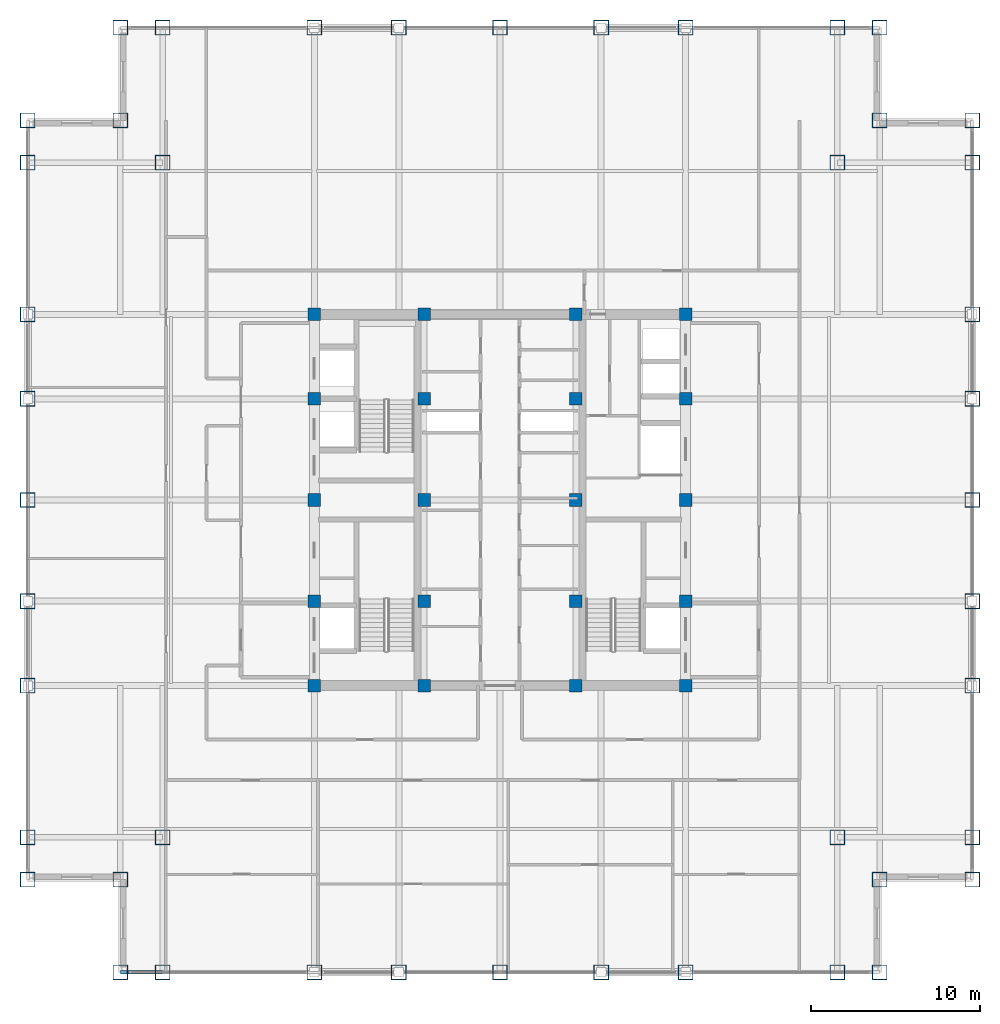
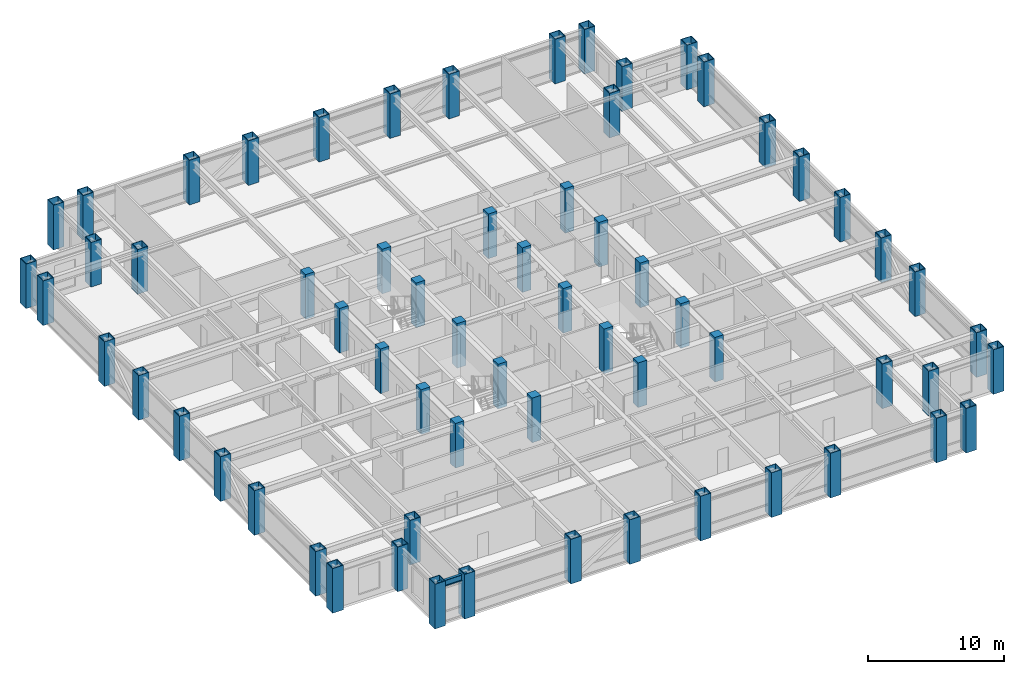
# One storey, part 1 of 22: 64 columns, 1 beam.
"""IFC4 building model written with IfcOpenShell, lengths in metres."""

from ifc_helpers import new_model, si_unit, direction, frame, origin, origin_2d, place, context, subcontext, project, spatial, rectangle, hollow_rectangle, i_section, extrude, source, transform, mapped, material, material_profile, profile_set, type_object, element, save


model = new_model("IFC4")

# Units and contexts
model_context = context("Model", 3, precision=1e-05, world=origin(), true_north=direction((0.0, 1.0)))
body_context = subcontext(model_context, "Body", "Model", "MODEL_VIEW")
ifc_project = project(units=[si_unit("LENGTHUNIT", "METRE"), si_unit("AREAUNIT", "SQUARE_METRE"), si_unit("VOLUMEUNIT", "CUBIC_METRE"), si_unit("PLANEANGLEUNIT", "RADIAN"), si_unit("MASSUNIT", "GRAM", prefix="KILO")], contexts=[model_context])

# Site, building, storey
site_placement = place(None, origin())
site = spatial("IfcSite", under=ifc_project, at=site_placement, CompositionType="ELEMENT")
building_placement = place(site_placement, origin())
building = spatial("IfcBuilding", under=site, at=building_placement, Name="Khorayat Bourse Tower", CompositionType="ELEMENT")
storey_placement = place(building_placement, frame((0.0, 0.0, 297.5)))
storey = spatial("IfcBuildingStorey", under=building, at=storey_placement, Name="L70", CompositionType="ELEMENT", Elevation=297.5)

# Columns
ifc_material_1 = material(Name="Steel EN 10025-4 S460M", Category="steel")
ifc_material_profile_1 = material_profile(ifc_material_1, hollow_rectangle(XDim=0.89990234375, YDim=0.89990234375, WallThickness=0.050048828125, at=origin_2d()), Name="BOX 900x900x50")
ifc_profile_set_1 = profile_set([ifc_material_profile_1], Name="Steel EN 10025-4 S460M")
column_type_1 = type_object("IfcColumnType", Name="COL-TUBE-900", PredefinedType="COLUMN", material=ifc_profile_set_1)
shared_shape_1 = source(origin(), body_context, "Body", "SweptSolid", [
    extrude(hollow_rectangle(XDim=0.89990234375, YDim=0.89990234375, WallThickness=0.050048828125, at=origin_2d()), origin(), (0.0, 0.0, 1.0), 4.0),
])
for number, where, z_axis, x_axis, name in (
    (1, (-28.0, -22.5, 0.0), (0.0, 0.0, 1.0), (1.0, 0.0, 0.0), "L70 Column 001"),
    (2, (-28.0, -20.0, 0.0), (0.0, 0.0, 1.0), (1.0, 0.0, 0.0), "L70 Column 002"),
    (3, (-28.0, -11.0, 0.0), (0.0, 0.0, 1.0), (1.0, 0.0, 0.0), "L70 Column 003"),
    (4, (-28.0, -6.0, 0.0), (0.0, 0.0, 1.0), (1.0, 0.0, 0.0), "L70 Column 004"),
    (5, (-28.0, 0.0, 0.0), (0.0, 0.0, 1.0), (1.0, 0.0, 0.0), "L70 Column 005"),
    (6, (-28.0, 6.0, 0.0), (0.0, 0.0, 1.0), (1.0, 0.0, 0.0), "L70 Column 006"),
    (7, (-28.0, 11.0, 0.0), (0.0, 0.0, 1.0), (1.0, 0.0, 0.0), "L70 Column 007"),
    (8, (-28.0, 20.0, 0.0), (0.0, 0.0, 1.0), (1.0, 0.0, 0.0), "L70 Column 008"),
    (9, (-28.0, 22.5, 0.0), (0.0, 0.0, 1.0), (1.0, 0.0, 0.0), "L70 Column 009"),
    (10, (-22.5, -28.0, 0.0), (0.0, 0.0, 1.0), (1.0, 0.0, 0.0), "L70 Column 010"),
    (11, (-22.5, -22.5, 0.0), (0.0, 0.0, 1.0), (1.0, 0.0, 0.0), "L70 Column 011"),
    (12, (-22.5, 22.5, 0.0), (0.0, 0.0, 1.0), (1.0, 0.0, 0.0), "L70 Column 012"),
    (13, (-22.5, 28.0, 0.0), (0.0, 0.0, 1.0), (1.0, 0.0, 0.0), "L70 Column 013"),
    (14, (-20.0, -28.0, 0.0), (0.0, 0.0, 1.0), (1.0, 0.0, 0.0), "L70 Column 014"),
    (15, (-20.0, -20.0, 0.0), (0.0, 0.0, 1.0), (1.0, 0.0, 0.0), "L70 Column 015"),
    (16, (-20.0, 20.0, 0.0), (0.0, 0.0, 1.0), (1.0, 0.0, 0.0), "L70 Column 016"),
    (17, (-20.0, 28.0, 0.0), (0.0, 0.0, 1.0), (1.0, 0.0, 0.0), "L70 Column 017"),
    (18, (-11.0, -28.0, 0.0), (0.0, 0.0, 1.0), (1.0, 0.0, 0.0), "L70 Column 018"),
    (19, (-11.0, 28.0, 0.0), (0.0, 0.0, 1.0), (1.0, 0.0, 0.0), "L70 Column 024"),
    (20, (-6.0, -28.0, 0.0), (0.0, 0.0, 1.0), (1.0, 0.0, 0.0), "L70 Column 025"),
    (21, (-6.0, 28.0, 0.0), (0.0, 0.0, 1.0), (1.0, 0.0, 0.0), "L70 Column 026"),
    (22, (0.0, -28.0, 0.0), (0.0, 0.0, 1.0), (1.0, 0.0, 0.0), "L70 Column 032"),
    (23, (0.0, 28.0, 0.0), (0.0, 0.0, 1.0), (1.0, 0.0, 0.0), "L70 Column 033"),
    (24, (6.0, -28.0, 0.0), (0.0, 0.0, 1.0), (1.0, 0.0, 0.0), "L70 Column 039"),
    (25, (6.0, 28.0, 0.0), (0.0, 0.0, 1.0), (1.0, 0.0, 0.0), "L70 Column 040"),
    (26, (11.0, -28.0, 0.0), (0.0, 0.0, 1.0), (1.0, 0.0, 0.0), "L70 Column 041"),
    (27, (11.0, 28.0, 0.0), (0.0, 0.0, 1.0), (1.0, 0.0, 0.0), "L70 Column 047"),
    (28, (20.0, -28.0, 0.0), (0.0, 0.0, 1.0), (1.0, 0.0, 0.0), "L70 Column 048"),
    (29, (20.0, -20.0, 0.0), (0.0, 0.0, 1.0), (1.0, 0.0, 0.0), "L70 Column 049"),
    (30, (20.0, 20.0, 0.0), (0.0, 0.0, 1.0), (1.0, 0.0, 0.0), "L70 Column 050"),
    (31, (20.0, 28.0, 0.0), (0.0, 0.0, 1.0), (1.0, 0.0, 0.0), "L70 Column 051"),
    (32, (22.5, -28.0, 0.0), (0.0, 0.0, 1.0), (1.0, 0.0, 0.0), "L70 Column 052"),
    (33, (22.5, -22.5, 0.0), (0.0, 0.0, 1.0), (1.0, 0.0, 0.0), "L70 Column 053"),
    (34, (22.5, 22.5, 0.0), (0.0, 0.0, 1.0), (1.0, 0.0, 0.0), "L70 Column 054"),
    (35, (22.5, 28.0, 0.0), (0.0, 0.0, 1.0), (1.0, 0.0, 0.0), "L70 Column 055"),
    (36, (28.0, -22.5, 0.0), (0.0, 0.0, 1.0), (1.0, 0.0, 0.0), "L70 Column 056"),
    (37, (28.0, -20.0, 0.0), (0.0, 0.0, 1.0), (1.0, 0.0, 0.0), "L70 Column 057"),
    (38, (28.0, -11.0, 0.0), (0.0, 0.0, 1.0), (1.0, 0.0, 0.0), "L70 Column 058"),
    (39, (28.0, -6.0, 0.0), (0.0, 0.0, 1.0), (1.0, 0.0, 0.0), "L70 Column 059"),
    (40, (28.0, 0.0, 0.0), (0.0, 0.0, 1.0), (1.0, 0.0, 0.0), "L70 Column 060"),
    (41, (28.0, 6.0, 0.0), (0.0, 0.0, 1.0), (1.0, 0.0, 0.0), "L70 Column 061"),
    (42, (28.0, 11.0, 0.0), (0.0, 0.0, 1.0), (1.0, 0.0, 0.0), "L70 Column 062"),
    (43, (28.0, 20.0, 0.0), (0.0, 0.0, 1.0), (1.0, 0.0, 0.0), "L70 Column 063"),
    (44, (28.0, 22.5, 0.0), (0.0, 0.0, 1.0), (1.0, 0.0, 0.0), "L70 Column 064"),
):
    element("IfcColumn", number, at=place(storey_placement, frame(where, z_axis=z_axis, x_axis=x_axis)), inside=storey, type_object=column_type_1, Name=name, PredefinedType="COLUMN", context=body_context, shape_type="MappedRepresentation", body=[
        mapped(shared_shape_1, transform((0.0, 0.0, 0.0), scale=1.0)),
    ])
ifc_material_2 = material(Name="Concrete C52/65", Category="concrete")
ifc_material_profile_2 = material_profile(ifc_material_2, rectangle(XDim=0.75, YDim=0.75, at=origin_2d()), Name="RC 750x750")
ifc_profile_set_2 = profile_set([ifc_material_profile_2], Name="Concrete C52/65")
column_type_2 = type_object("IfcColumnType", Name="COL-CORE-750", PredefinedType="COLUMN", material=ifc_profile_set_2)
shared_shape_2 = source(origin(), body_context, "Body", "SweptSolid", [
    extrude(rectangle(XDim=0.75, YDim=0.75, at=origin_2d()), origin(), (0.0, 0.0, 1.0), 4.0),
])
for number, where, z_axis, x_axis, name in (
    (45, (-11.0, -11.0, 0.0), (0.0, 0.0, 1.0), (1.0, 0.0, 0.0), "L70 Column 019"),
    (46, (-11.0, -6.0, 0.0), (0.0, 0.0, 1.0), (1.0, 0.0, 0.0), "L70 Column 020"),
    (47, (-11.0, 0.0, 0.0), (0.0, 0.0, 1.0), (1.0, 0.0, 0.0), "L70 Column 021"),
    (48, (-11.0, 6.0, 0.0), (0.0, 0.0, 1.0), (1.0, 0.0, 0.0), "L70 Column 022"),
    (49, (-11.0, 11.0, 0.0), (0.0, 0.0, 1.0), (1.0, 0.0, 0.0), "L70 Column 023"),
    (50, (-4.5, -11.0, 0.0), (0.0, 0.0, 1.0), (1.0, 0.0, 0.0), "L70 Column 027"),
    (51, (-4.5, -6.0, 0.0), (0.0, 0.0, 1.0), (1.0, 0.0, 0.0), "L70 Column 028"),
    (52, (-4.5, 0.0, 0.0), (0.0, 0.0, 1.0), (1.0, 0.0, 0.0), "L70 Column 029"),
    (53, (-4.5, 6.0, 0.0), (0.0, 0.0, 1.0), (1.0, 0.0, 0.0), "L70 Column 030"),
    (54, (-4.5, 11.0, 0.0), (0.0, 0.0, 1.0), (1.0, 0.0, 0.0), "L70 Column 031"),
    (55, (4.5, -11.0, 0.0), (0.0, 0.0, 1.0), (1.0, 0.0, 0.0), "L70 Column 034"),
    (56, (4.5, -6.0, 0.0), (0.0, 0.0, 1.0), (1.0, 0.0, 0.0), "L70 Column 035"),
    (57, (4.5, 0.0, 0.0), (0.0, 0.0, 1.0), (1.0, 0.0, 0.0), "L70 Column 036"),
    (58, (4.5, 6.0, 0.0), (0.0, 0.0, 1.0), (1.0, 0.0, 0.0), "L70 Column 037"),
    (59, (4.5, 11.0, 0.0), (0.0, 0.0, 1.0), (1.0, 0.0, 0.0), "L70 Column 038"),
    (60, (11.0, -11.0, 0.0), (0.0, 0.0, 1.0), (1.0, 0.0, 0.0), "L70 Column 042"),
    (61, (11.0, -6.0, 0.0), (0.0, 0.0, 1.0), (1.0, 0.0, 0.0), "L70 Column 043"),
    (62, (11.0, 0.0, 0.0), (0.0, 0.0, 1.0), (1.0, 0.0, 0.0), "L70 Column 044"),
    (63, (11.0, 6.0, 0.0), (0.0, 0.0, 1.0), (1.0, 0.0, 0.0), "L70 Column 045"),
    (64, (11.0, 11.0, 0.0), (0.0, 0.0, 1.0), (1.0, 0.0, 0.0), "L70 Column 046"),
):
    element("IfcColumn", number, at=place(storey_placement, frame(where, z_axis=z_axis, x_axis=x_axis)), inside=storey, type_object=column_type_2, Name=name, PredefinedType="COLUMN", context=body_context, shape_type="MappedRepresentation", body=[
        mapped(shared_shape_2, transform((0.0, 0.0, 0.0), scale=1.0)),
    ])

# Beam
ifc_material_3 = material(Name="Steel ASTM A992 Grade 50", Category="steel")
ifc_material_profile_3 = material_profile(ifc_material_3, i_section(OverallWidth=0.214111328125, OverallDepth=0.549072265625, WebThickness=0.0146484375, FlangeThickness=0.023681640625, FilletRadius=0.013916015625, at=origin_2d()), Name="W530X138")
ifc_profile_set_3 = profile_set([ifc_material_profile_3], Name="Steel ASTM A992 Grade 50")
beam_type = type_object("IfcBeamType", Name="BM-SPAN-530", PredefinedType="SPANDREL", material=ifc_profile_set_3)
shared_shape_3 = source(origin(), body_context, "Body", "SweptSolid", [
    extrude(i_section(OverallWidth=0.214111328125, OverallDepth=0.549072265625, WebThickness=0.0146484375, FlangeThickness=0.023681640625, FilletRadius=0.013916015625, at=origin_2d()), origin(), (0.0, 0.0, 1.0), 2.5),
])
beam_placement = place(storey_placement, frame((-22.5, -28.0, 3.505615234375), z_axis=(1.0, 0.0, 0.0), x_axis=(0.0, 1.0, 0.0)))
element("IfcBeam", 65, at=beam_placement, inside=storey, type_object=beam_type, Name="L70 BM-SPAN-530 BM-L70-SPN-024", PredefinedType="SPANDREL", context=body_context, shape_type="MappedRepresentation", body=[
    mapped(shared_shape_3, transform((0.0, 0.0, 0.0), scale=1.0)),
])

save(model, "model.ifc")
